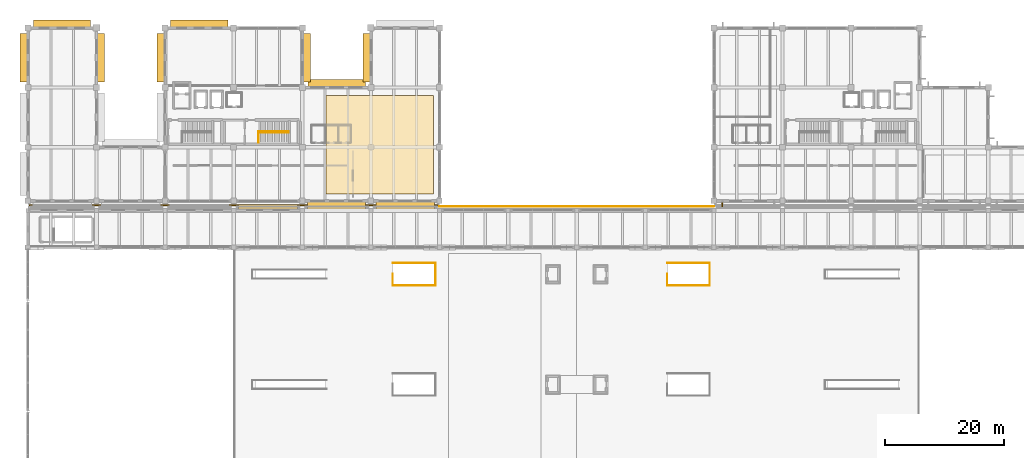
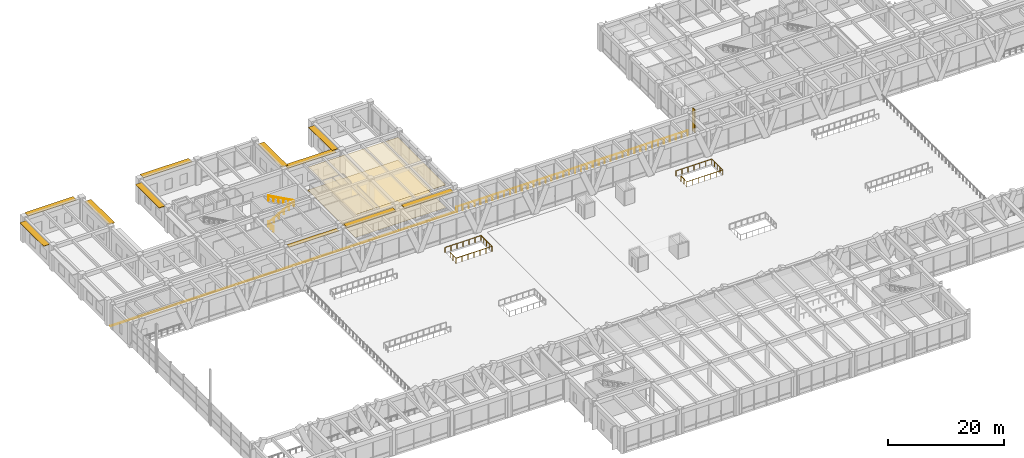
# One storey, part 145 of 148: 12 shading devices, 7 railings, 3 coverings.
"""IFC4 building model written with IfcOpenShell, lengths in metres."""

from ifc_helpers import new_model, si_unit, direction, frame, origin, origin_2d, place, context, subcontext, project, spatial, polyline, rectangle, circle, outline, extrude, material, layer, layer_set, type_object, element, save


model = new_model("IFC4")

# Units and contexts
model_context = context("Model", 3, precision=1e-05, world=origin(), true_north=direction((0.0, 1.0)))
body_context = subcontext(model_context, "Body", "Model", "MODEL_VIEW")
ifc_project = project(units=[si_unit("LENGTHUNIT", "METRE"), si_unit("AREAUNIT", "SQUARE_METRE"), si_unit("VOLUMEUNIT", "CUBIC_METRE"), si_unit("PLANEANGLEUNIT", "RADIAN"), si_unit("MASSUNIT", "GRAM", prefix="KILO")], contexts=[model_context])

# Site, building, storey
site_placement = place(None, origin())
site = spatial("IfcSite", under=ifc_project, at=site_placement, CompositionType="ELEMENT")
building_placement = place(site_placement, origin())
building = spatial("IfcBuilding", under=site, at=building_placement, Name="Ologun Quay Terminus", CompositionType="ELEMENT")
storey_placement = place(building_placement, frame((0.0, 0.0, 8.39990234375)))
storey = spatial("IfcBuildingStorey", under=building, at=storey_placement, Name="L02", CompositionType="ELEMENT", Elevation=8.39990234375)

# Shading devices
ifc_material_1 = material(Name="Aluminium 6063-T6", Category="aluminium")
ifc_layer_1 = layer(ifc_material_1, 0.10009765625)
ifc_layer_set_1 = layer_set([ifc_layer_1], Name="Aluminium 6063-T6")
shading_device_type_1 = type_object("IfcShadingDeviceType", Name="Deep Waterfront Brise-Soleil Blade 1200", PredefinedType="JALOUSIE", material=ifc_layer_set_1)
for number, where, z_axis, x_axis, name in (
    (1, (51.75, 85.070068359375, 4.72998046875), (0.0, 0.0, 1.0), (1.0, 0.0, 0.0), "SD-02 Sun-Hood WEW-WW-O-L02-5"),
    (2, (63.25, 85.070068359375, 4.72998046875), (0.0, 0.0, 1.0), (1.0, 0.0, 0.0), "SD-02 Sun-Hood WEW-WW-O-L02-6"),
):
    element("IfcShadingDevice", number, at=place(storey_placement, frame(where, z_axis=z_axis, x_axis=x_axis)), inside=storey, type_object=shading_device_type_1, Name=name, PredefinedType="JALOUSIE", context=body_context, shape_type="SweptSolid", body=[
        extrude(rectangle(XDim=9.760009765625, YDim=1.199951171875, at=origin_2d()), origin(), (0.0, 0.0, 1.0), 0.10009765625),
    ])
shading_device_1_placement = place(storey_placement, frame((56.77001953125, 109.77490234375, 4.72998046875), z_axis=(0.0, 0.0, 1.0), x_axis=(1.0, 0.0, 0.0)))
element("IfcShadingDevice", 3, at=shading_device_1_placement, inside=storey, type_object=shading_device_type_1, Name="SD-02 Sun-Hood WEW-WW-O-L02-11", PredefinedType="JALOUSIE", context=body_context, shape_type="SweptSolid", body=[
    extrude(rectangle(XDim=1.199951171875, YDim=8.110107421875, at=origin_2d()), origin(), (0.0, 0.0, 1.0), 0.10009765625),
])
shading_device_2_placement = place(storey_placement, frame((51.75, 105.530029296875, 4.72998046875), z_axis=(0.0, 0.0, 1.0), x_axis=(1.0, 0.0, 0.0)))
element("IfcShadingDevice", 4, at=shading_device_2_placement, inside=storey, type_object=shading_device_type_1, Name="SD-02 Sun-Hood WEW-WW-O-L02-12", PredefinedType="JALOUSIE", context=body_context, shape_type="SweptSolid", body=[
    extrude(rectangle(XDim=9.659912109375, YDim=1.199951171875, at=origin_2d()), origin(), (0.0, 0.0, 1.0), 0.10009765625),
])
shading_device_3_placement = place(storey_placement, frame((46.72998046875, 109.800048828125, 4.72998046875), z_axis=(0.0, 0.0, 1.0), x_axis=(1.0, 0.0, 0.0)))
element("IfcShadingDevice", 5, at=shading_device_3_placement, inside=storey, type_object=shading_device_type_1, Name="SD-02 Sun-Hood WEW-WW-O-L02-13", PredefinedType="JALOUSIE", context=body_context, shape_type="SweptSolid", body=[
    extrude(rectangle(XDim=1.199951171875, YDim=8.159912109375, at=origin_2d()), origin(), (0.0, 0.0, 1.0), 0.10009765625),
])
shading_device_4_placement = place(storey_placement, frame((28.75, 115.530029296875, 4.72998046875), z_axis=(0.0, 0.0, 1.0), x_axis=(1.0, 0.0, 0.0)))
element("IfcShadingDevice", 6, at=shading_device_4_placement, inside=storey, type_object=shading_device_type_1, Name="SD-02 Sun-Hood WEW-WW-N-L02-14", PredefinedType="JALOUSIE", context=body_context, shape_type="SweptSolid", body=[
    extrude(rectangle(XDim=9.659912109375, YDim=1.199951171875, at=origin_2d()), origin(), (0.0, 0.0, 1.0), 0.10009765625),
])
shading_device_5_placement = place(storey_placement, frame((22.27001953125, 109.800048828125, 4.72998046875), z_axis=(0.0, 0.0, 1.0), x_axis=(1.0, 0.0, 0.0)))
element("IfcShadingDevice", 7, at=shading_device_5_placement, inside=storey, type_object=shading_device_type_1, Name="SD-02 Sun-Hood WEW-WW-O-L02-17", PredefinedType="JALOUSIE", context=body_context, shape_type="SweptSolid", body=[
    extrude(rectangle(XDim=1.199951171875, YDim=8.159912109375, at=origin_2d()), origin(), (0.0, 0.0, 1.0), 0.10009765625),
])
shading_device_6_placement = place(storey_placement, frame((12.22998046875, 109.77490234375, 4.72998046875), z_axis=(0.0, 0.0, 1.0), x_axis=(1.0, 0.0, 0.0)))
element("IfcShadingDevice", 8, at=shading_device_6_placement, inside=storey, type_object=shading_device_type_1, Name="SD-02 Sun-Hood WEW-WW-O-L02-20", PredefinedType="JALOUSIE", context=body_context, shape_type="SweptSolid", body=[
    extrude(rectangle(XDim=1.199951171875, YDim=8.110107421875, at=origin_2d()), origin(), (0.0, 0.0, 1.0), 0.10009765625),
])
shading_device_7_placement = place(storey_placement, frame((5.72509765625, 115.530029296875, 4.72998046875), z_axis=(0.0, 0.0, 1.0), x_axis=(1.0, 0.0, 0.0)))
element("IfcShadingDevice", 9, at=shading_device_7_placement, inside=storey, type_object=shading_device_type_1, Name="SD-02 Sun-Hood WEW-WW-N-L02-21", PredefinedType="JALOUSIE", context=body_context, shape_type="SweptSolid", body=[
    extrude(rectangle(XDim=9.610107421875, YDim=1.199951171875, at=origin_2d()), origin(), (0.0, 0.0, 1.0), 0.10009765625),
])
shading_device_8_placement = place(storey_placement, frame((-0.72998046875, 109.800048828125, 4.72998046875), z_axis=(0.0, 0.0, 1.0), x_axis=(1.0, 0.0, 0.0)))
element("IfcShadingDevice", 10, at=shading_device_8_placement, inside=storey, type_object=shading_device_type_1, Name="SD-02 Sun-Hood WEW-WW-O-L02-24", PredefinedType="JALOUSIE", context=body_context, shape_type="SweptSolid", body=[
    extrude(rectangle(XDim=1.199951171875, YDim=8.159912109375, at=origin_2d()), origin(), (0.0, 0.0, 1.0), 0.10009765625),
])
ifc_material_2 = material(Name="Aluminium 6063-T6", Category="aluminium")
ifc_layer_2 = layer(ifc_material_2, 0.080078125)
ifc_layer_set_2 = layer_set([ifc_layer_2], Name="Aluminium 6063-T6")
shading_device_type_2 = type_object("IfcShadingDeviceType", Name="Horizontal Extruded Aluminium Sun Louvre 900", PredefinedType="JALOUSIE", material=ifc_layer_set_2)
shading_device_9_placement = place(storey_placement, frame((40.25, 84.780029296875, 4.66015625), z_axis=(0.0, 0.0, 1.0), x_axis=(1.0, 0.0, 0.0)))
element("IfcShadingDevice", 11, at=shading_device_9_placement, inside=storey, type_object=shading_device_type_2, Name="SD-01 Sun-Hood WEW-NGW-L02-04", PredefinedType="JALOUSIE", context=body_context, shape_type="SweptSolid", body=[
    extrude(rectangle(XDim=9.9599609375, YDim=0.89990234375, at=origin_2d()), origin(), (0.0, 0.0, 1.0), 0.080078125),
])
ifc_material_3 = material(Name="Concrete C40/50", Category="concrete")
ifc_layer_3 = layer(ifc_material_3, 0.159912109375)
ifc_layer_set_3 = layer_set([ifc_layer_3], Name="Concrete C40/50")
shading_device_type_3 = type_object("IfcShadingDeviceType", Name="Operations Angled Precast Solar Fin 850x160", PredefinedType="USERDEFINED", material=ifc_layer_set_3)
shading_device_10_placement = place(storey_placement, frame((116.419921875, 85.2451171875, 0.150146484375), z_axis=(0.0, 0.0, 1.0), x_axis=(1.0, 0.0, 0.0)))
element("IfcShadingDevice", 12, at=shading_device_10_placement, inside=storey, type_object=shading_device_type_3, Name="SD-05 Vertical Solar Fin WEW-EW-L02-1-1", ObjectType="SOLAR FIN", PredefinedType="USERDEFINED", context=body_context, shape_type="SweptSolid", body=[
    extrude(rectangle(XDim=0.159912109375, YDim=0.85009765625, at=origin_2d()), origin(), (0.0, 0.0, 1.0), 4.830078125),
])

# Coverings
ifc_material_4 = material(Name="Aluminium 6063-T6", Category="aluminium")
ifc_layer_4 = layer(ifc_material_4, 0.034912109375)
ifc_layer_set_4 = layer_set([ifc_layer_4], Name="Aluminium 6063-T6")
covering_type_1 = type_object("IfcCoveringType", Name="Perforated Aluminium Acoustic Baffle Ceiling 35", PredefinedType="CEILING", material=ifc_layer_set_4)
covering_1_placement = place(storey_placement, frame((0.0, 0.0, 4.800048828125)))
element("IfcCovering", 13, at=covering_1_placement, inside=storey, type_object=covering_type_1, Name="CV-CL1 Acoustic Ceiling 5", PredefinedType="CEILING", context=body_context, shape_type="SweptSolid", body=[
    extrude(outline(polyline([(50.0, 87.0), (68.0, 87.0), (68.0, 103.5), (50.0, 103.5), (50.0, 87.0)])), origin(), (0.0, 0.0, 1.0), 0.03515625),
])
ifc_material_5 = material(Name="Porcelain Tile")
ifc_layer_5 = layer(ifc_material_5, 0.02197265625)
ifc_layer_set_5 = layer_set([ifc_layer_5], Name="Porcelain Tile")
covering_type_2 = type_object("IfcCoveringType", Name="Porcelain Tile Pavilion & Sanitary Flooring 22", PredefinedType="FLOORING", material=ifc_layer_set_5)
covering_2_placement = place(storey_placement, origin())
element("IfcCovering", 14, at=covering_2_placement, inside=storey, type_object=covering_type_2, Name="CV-FL2 Interior Flooring 9", PredefinedType="FLOORING", context=body_context, shape_type="SweptSolid", body=[
    extrude(outline(polyline([(50.0, 87.0), (68.0, 87.0), (68.0, 103.5), (50.0, 103.5), (50.0, 87.0)])), origin(), (0.0, 0.0, 1.0), 0.022216796875),
])
ifc_material_6 = material(Name="Steel S355", Category="steel")
ifc_layer_6 = layer(ifc_material_6, 0.034912109375)
ifc_layer_set_6 = layer_set([ifc_layer_6], Name="Steel S355")
covering_type_3 = type_object("IfcCoveringType", Name="Stainless Steel Seismic Joint Cover Plate 35", PredefinedType="FLOORING", material=ifc_layer_set_6)
covering_3_placement = place(storey_placement, origin())
element("IfcCovering", 15, at=covering_3_placement, inside=storey, type_object=covering_type_3, Name="CV-MJC Seismic Joint Cover Plate L02-W", PredefinedType="FLOORING", context=body_context, shape_type="SweptSolid", body=[
    extrude(outline(polyline([(0.199951171875, 84.9560546875), (68.800048828125, 84.9560546875), (68.800048828125, 85.156005859375), (0.199951171875, 85.156005859375), (0.199951171875, 84.9560546875)])), origin(), (0.0, 0.0, 1.0), 0.03515625),
])

# Railings
ifc_material_7 = material(Name="Steel S355", Category="steel")
railing_type_1 = type_object("IfcRailingType", Name="Stair & Landing Steel Guardrail 1100", PredefinedType="GUARDRAIL", material=ifc_material_7)
railing_1_placement = place(storey_placement, frame((38.659912109375, 97.43994140625, 0.0)))
element("IfcRailing", 16, at=railing_1_placement, inside=storey, type_object=railing_type_1, Name="GR-ST Stair Floor Edge Guard ST-W2 L02", PredefinedType="GUARDRAIL", context=body_context, shape_type="SweptSolid", body=[
    extrude(circle(Radius=0.02392578125, at=origin_2d()), frame((0.0, 0.0, 1.076171875), z_axis=(0.0, -1.0, 0.0), x_axis=(1.0, 0.0, 0.0)), (0.0, 0.0, 1.0), 1.829833984375),
    extrude(circle(Radius=0.02099609375, at=origin_2d()), origin(), (0.0, 0.0, 1.0), 1.052001953125),
    extrude(circle(Radius=0.02099609375, at=origin_2d()), frame((0.0, -0.9150390625, 0.0)), (0.0, 0.0, 1.0), 1.052001953125),
    extrude(circle(Radius=0.02099609375, at=origin_2d()), frame((0.0, -1.829833984375, 0.0)), (0.0, 0.0, 1.0), 1.052001953125),
])
railing_2_placement = place(storey_placement, frame((38.699951171875, 97.25, 0.0)))
element("IfcRailing", 17, at=railing_2_placement, inside=storey, type_object=railing_type_1, Name="GR-ST Stair Inner Well Guard ST-W2 L02", PredefinedType="GUARDRAIL", context=body_context, shape_type="SweptSolid", body=[
    extrude(circle(Radius=0.02392578125, at=origin_2d()), frame((0.0, 0.0, 1.076171875), z_axis=(0.87828518882, 0.0, 0.478137142565), x_axis=(0.0, 1.0, 0.0)), (0.0, 0.0, 1.0), 5.647216796875),
    extrude(circle(Radius=0.02392578125, at=origin_2d()), frame((4.9599609375, 0.0, 3.7763671875), z_axis=(0.0, 1.0, 0.0), x_axis=(-1.0, 0.0, 0.0)), (0.0, 0.0, 1.0), 0.199951171875),
    extrude(circle(Radius=0.02392578125, at=origin_2d()), frame((4.9599609375, 0.199951171875, 3.7763671875), z_axis=(-0.878303343108, 0.0, 0.478103793632), x_axis=(0.0, -1.0, 0.0)), (0.0, 0.0, 1.0), 5.647216796875),
    extrude(circle(Radius=0.02099609375, at=origin_2d()), origin(), (0.0, 0.0, 1.0), 1.052001953125),
    extrude(circle(Radius=0.02099609375, at=origin_2d()), frame((0.991943359375, 0.0, 0.5400390625)), (0.0, 0.0, 1.0), 1.052001953125),
    extrude(circle(Radius=0.02099609375, at=origin_2d()), frame((1.98388671875, 0.0, 1.080078125)), (0.0, 0.0, 1.0), 1.052001953125),
    extrude(circle(Radius=0.02099609375, at=origin_2d()), frame((2.97607421875, 0.0, 1.6201171875)), (0.0, 0.0, 1.0), 1.052001953125),
    extrude(circle(Radius=0.02099609375, at=origin_2d()), frame((3.968017578125, 0.0, 2.16015625)), (0.0, 0.0, 1.0), 1.052001953125),
    extrude(circle(Radius=0.02099609375, at=origin_2d()), frame((4.9599609375, 0.0, 2.7001953125)), (0.0, 0.0, 1.0), 1.052001953125),
    extrude(circle(Radius=0.02099609375, at=origin_2d()), frame((4.9599609375, 0.199951171875, 2.7001953125)), (0.0, 0.0, 1.0), 1.052001953125),
    extrude(circle(Radius=0.02099609375, at=origin_2d()), frame((3.968017578125, 0.199951171875, 3.240234375)), (0.0, 0.0, 1.0), 1.052001953125),
    extrude(circle(Radius=0.02099609375, at=origin_2d()), frame((2.97607421875, 0.199951171875, 3.7802734375)), (0.0, 0.0, 1.0), 1.052001953125),
    extrude(circle(Radius=0.02099609375, at=origin_2d()), frame((1.98388671875, 0.199951171875, 4.320068359375)), (0.0, 0.0, 1.0), 1.052001953125),
    extrude(circle(Radius=0.02099609375, at=origin_2d()), frame((0.991943359375, 0.199951171875, 4.860107421875)), (0.0, 0.0, 1.0), 1.052001953125),
    extrude(circle(Radius=0.02099609375, at=origin_2d()), frame((0.0, 0.199951171875, 5.400146484375)), (0.0, 0.0, 1.0), 1.052001953125),
])
railing_3_placement = place(storey_placement, frame((61.159912109375, 73.60009765625, 0.0)))
element("IfcRailing", 18, at=railing_3_placement, inside=storey, type_object=railing_type_1, Name="GR-ST Platform Stair Well Guard ST-P3 L02", PredefinedType="GUARDRAIL", context=body_context, shape_type="SweptSolid", body=[
    extrude(circle(Radius=0.02392578125, at=origin_2d()), frame((0.0, 0.0, 1.076171875), z_axis=(0.0, -1.0, 0.0), x_axis=(1.0, 0.0, 0.0)), (0.0, 0.0, 1.0), 1.97998046875),
    extrude(circle(Radius=0.02392578125, at=origin_2d()), frame((0.0, -1.97998046875, 1.076171875), z_axis=(1.0, 0.0, 0.0), x_axis=(0.0, 1.0, 0.0)), (0.0, 0.0, 1.0), 7.16015625),
    extrude(circle(Radius=0.02392578125, at=origin_2d()), frame((7.16015625, -1.97998046875, 1.076171875), z_axis=(0.0, 1.0, 0.0), x_axis=(-1.0, 0.0, 0.0)), (0.0, 0.0, 1.0), 3.759765625),
    extrude(circle(Radius=0.02392578125, at=origin_2d()), frame((7.16015625, 1.77978515625, 1.076171875), z_axis=(-1.0, 0.0, 0.0), x_axis=(0.0, -1.0, 0.0)), (0.0, 0.0, 1.0), 7.16015625),
    extrude(circle(Radius=0.02099609375, at=origin_2d()), origin(), (0.0, 0.0, 1.0), 1.052001953125),
    extrude(circle(Radius=0.02099609375, at=origin_2d()), frame((0.0, -0.989990234375, 0.0)), (0.0, 0.0, 1.0), 1.052001953125),
    extrude(circle(Radius=0.02099609375, at=origin_2d()), frame((0.0, -1.97998046875, 0.0)), (0.0, 0.0, 1.0), 1.052001953125),
    extrude(circle(Radius=0.02099609375, at=origin_2d()), frame((1.193359375, -1.97998046875, 0.0)), (0.0, 0.0, 1.0), 1.052001953125),
    extrude(circle(Radius=0.02099609375, at=origin_2d()), frame((2.38671875, -1.97998046875, 0.0)), (0.0, 0.0, 1.0), 1.052001953125),
    extrude(circle(Radius=0.02099609375, at=origin_2d()), frame((3.580078125, -1.97998046875, 0.0)), (0.0, 0.0, 1.0), 1.052001953125),
    extrude(circle(Radius=0.02099609375, at=origin_2d()), frame((4.7734375, -1.97998046875, 0.0)), (0.0, 0.0, 1.0), 1.052001953125),
    extrude(circle(Radius=0.02099609375, at=origin_2d()), frame((5.966796875, -1.97998046875, 0.0)), (0.0, 0.0, 1.0), 1.052001953125),
    extrude(circle(Radius=0.02099609375, at=origin_2d()), frame((7.16015625, -1.97998046875, 0.0)), (0.0, 0.0, 1.0), 1.052001953125),
    extrude(circle(Radius=0.02099609375, at=origin_2d()), frame((7.16015625, -1.0400390625, 0.0)), (0.0, 0.0, 1.0), 1.052001953125),
    extrude(circle(Radius=0.02099609375, at=origin_2d()), frame((7.16015625, -0.10009765625, 0.0)), (0.0, 0.0, 1.0), 1.052001953125),
    extrude(circle(Radius=0.02099609375, at=origin_2d()), frame((7.16015625, 0.83984375, 0.0)), (0.0, 0.0, 1.0), 1.052001953125),
    extrude(circle(Radius=0.02099609375, at=origin_2d()), frame((7.16015625, 1.77978515625, 0.0)), (0.0, 0.0, 1.0), 1.052001953125),
    extrude(circle(Radius=0.02099609375, at=origin_2d()), frame((5.966796875, 1.77978515625, 0.0)), (0.0, 0.0, 1.0), 1.052001953125),
    extrude(circle(Radius=0.02099609375, at=origin_2d()), frame((4.7734375, 1.77978515625, 0.0)), (0.0, 0.0, 1.0), 1.052001953125),
    extrude(circle(Radius=0.02099609375, at=origin_2d()), frame((3.580078125, 1.77978515625, 0.0)), (0.0, 0.0, 1.0), 1.052001953125),
    extrude(circle(Radius=0.02099609375, at=origin_2d()), frame((2.38671875, 1.77978515625, 0.0)), (0.0, 0.0, 1.0), 1.052001953125),
    extrude(circle(Radius=0.02099609375, at=origin_2d()), frame((1.193359375, 1.77978515625, 0.0)), (0.0, 0.0, 1.0), 1.052001953125),
    extrude(circle(Radius=0.02099609375, at=origin_2d()), frame((0.0, 1.77978515625, 0.0)), (0.0, 0.0, 1.0), 1.052001953125),
])
railing_4_placement = place(storey_placement, frame((107.159912109375, 73.60009765625, 0.0)))
element("IfcRailing", 19, at=railing_4_placement, inside=storey, type_object=railing_type_1, Name="GR-ST Platform Stair Well Guard ST-P4 L02", PredefinedType="GUARDRAIL", context=body_context, shape_type="SweptSolid", body=[
    extrude(circle(Radius=0.02392578125, at=origin_2d()), frame((0.0, 0.0, 1.076171875), z_axis=(0.0, -1.0, 0.0), x_axis=(1.0, 0.0, 0.0)), (0.0, 0.0, 1.0), 1.97998046875),
    extrude(circle(Radius=0.02392578125, at=origin_2d()), frame((0.0, -1.97998046875, 1.076171875), z_axis=(1.0, 0.0, 0.0), x_axis=(0.0, 1.0, 0.0)), (0.0, 0.0, 1.0), 7.16015625),
    extrude(circle(Radius=0.02392578125, at=origin_2d()), frame((7.16015625, -1.97998046875, 1.076171875), z_axis=(0.0, 1.0, 0.0), x_axis=(-1.0, 0.0, 0.0)), (0.0, 0.0, 1.0), 3.759765625),
    extrude(circle(Radius=0.02392578125, at=origin_2d()), frame((7.16015625, 1.77978515625, 1.076171875), z_axis=(-1.0, 0.0, 0.0), x_axis=(0.0, -1.0, 0.0)), (0.0, 0.0, 1.0), 7.16015625),
    extrude(circle(Radius=0.02099609375, at=origin_2d()), origin(), (0.0, 0.0, 1.0), 1.052001953125),
    extrude(circle(Radius=0.02099609375, at=origin_2d()), frame((0.0, -0.989990234375, 0.0)), (0.0, 0.0, 1.0), 1.052001953125),
    extrude(circle(Radius=0.02099609375, at=origin_2d()), frame((0.0, -1.97998046875, 0.0)), (0.0, 0.0, 1.0), 1.052001953125),
    extrude(circle(Radius=0.02099609375, at=origin_2d()), frame((1.193359375, -1.97998046875, 0.0)), (0.0, 0.0, 1.0), 1.052001953125),
    extrude(circle(Radius=0.02099609375, at=origin_2d()), frame((2.38671875, -1.97998046875, 0.0)), (0.0, 0.0, 1.0), 1.052001953125),
    extrude(circle(Radius=0.02099609375, at=origin_2d()), frame((3.580078125, -1.97998046875, 0.0)), (0.0, 0.0, 1.0), 1.052001953125),
    extrude(circle(Radius=0.02099609375, at=origin_2d()), frame((4.7734375, -1.97998046875, 0.0)), (0.0, 0.0, 1.0), 1.052001953125),
    extrude(circle(Radius=0.02099609375, at=origin_2d()), frame((5.966796875, -1.97998046875, 0.0)), (0.0, 0.0, 1.0), 1.052001953125),
    extrude(circle(Radius=0.02099609375, at=origin_2d()), frame((7.16015625, -1.97998046875, 0.0)), (0.0, 0.0, 1.0), 1.052001953125),
    extrude(circle(Radius=0.02099609375, at=origin_2d()), frame((7.16015625, -1.0400390625, 0.0)), (0.0, 0.0, 1.0), 1.052001953125),
    extrude(circle(Radius=0.02099609375, at=origin_2d()), frame((7.16015625, -0.10009765625, 0.0)), (0.0, 0.0, 1.0), 1.052001953125),
    extrude(circle(Radius=0.02099609375, at=origin_2d()), frame((7.16015625, 0.83984375, 0.0)), (0.0, 0.0, 1.0), 1.052001953125),
    extrude(circle(Radius=0.02099609375, at=origin_2d()), frame((7.16015625, 1.77978515625, 0.0)), (0.0, 0.0, 1.0), 1.052001953125),
    extrude(circle(Radius=0.02099609375, at=origin_2d()), frame((5.966796875, 1.77978515625, 0.0)), (0.0, 0.0, 1.0), 1.052001953125),
    extrude(circle(Radius=0.02099609375, at=origin_2d()), frame((4.7734375, 1.77978515625, 0.0)), (0.0, 0.0, 1.0), 1.052001953125),
    extrude(circle(Radius=0.02099609375, at=origin_2d()), frame((3.580078125, 1.77978515625, 0.0)), (0.0, 0.0, 1.0), 1.052001953125),
    extrude(circle(Radius=0.02099609375, at=origin_2d()), frame((2.38671875, 1.77978515625, 0.0)), (0.0, 0.0, 1.0), 1.052001953125),
    extrude(circle(Radius=0.02099609375, at=origin_2d()), frame((1.193359375, 1.77978515625, 0.0)), (0.0, 0.0, 1.0), 1.052001953125),
    extrude(circle(Radius=0.02099609375, at=origin_2d()), frame((0.0, 1.77978515625, 0.0)), (0.0, 0.0, 1.0), 1.052001953125),
])
ifc_material_8 = material(Name="Steel S355", Category="steel")
railing_type_2 = type_object("IfcRailingType", Name="Stair Stainless Tubular Handrail 920", PredefinedType="HANDRAIL", material=ifc_material_8)
railing_5_placement = place(storey_placement, frame((38.699951171875, 97.239990234375, 0.150146484375)))
element("IfcRailing", 20, at=railing_5_placement, inside=storey, type_object=railing_type_2, Name="HR-ST Handrail ST-W2-F1 L02", PredefinedType="HANDRAIL", context=body_context, shape_type="SweptSolid", body=[
    extrude(circle(Radius=0.02392578125, at=origin_2d()), frame((0.0, 0.0, 0.89599609375), z_axis=(0.888211453661, 0.0, 0.459434885034), x_axis=(0.0, 1.0, 0.0)), (0.0, 0.0, 1.0), 5.55029296875),
    extrude(circle(Radius=0.02099609375, at=origin_2d()), origin(), (0.0, 0.0, 1.0), 0.871826171875),
    extrude(circle(Radius=0.02099609375, at=origin_2d()), frame((0.986083984375, 0.0, 0.510009765625)), (0.0, 0.0, 1.0), 0.871826171875),
    extrude(circle(Radius=0.02099609375, at=origin_2d()), frame((1.971923828125, 0.0, 1.02001953125)), (0.0, 0.0, 1.0), 0.871826171875),
    extrude(circle(Radius=0.02099609375, at=origin_2d()), frame((2.9580078125, 0.0, 1.530029296875)), (0.0, 0.0, 1.0), 0.871826171875),
    extrude(circle(Radius=0.02099609375, at=origin_2d()), frame((3.94384765625, 0.0, 2.0400390625)), (0.0, 0.0, 1.0), 0.871826171875),
    extrude(circle(Radius=0.02099609375, at=origin_2d()), frame((4.929931640625, 0.0, 2.550048828125)), (0.0, 0.0, 1.0), 0.871826171875),
])
railing_6_placement = place(storey_placement, frame((43.6298828125, 97.4599609375, 2.85009765625)))
element("IfcRailing", 21, at=railing_6_placement, inside=storey, type_object=railing_type_2, Name="HR-ST Handrail ST-W2-F2 L02", PredefinedType="HANDRAIL", context=body_context, shape_type="SweptSolid", body=[
    extrude(circle(Radius=0.02392578125, at=origin_2d()), frame((0.0, 0.0, 0.89599609375), z_axis=(-0.888211453661, 0.0, 0.459434885034), x_axis=(0.0, -1.0, 0.0)), (0.0, 0.0, 1.0), 5.55029296875),
    extrude(circle(Radius=0.02099609375, at=origin_2d()), origin(), (0.0, 0.0, 1.0), 0.871826171875),
    extrude(circle(Radius=0.02099609375, at=origin_2d()), frame((-0.986083984375, 0.0, 0.510009765625)), (0.0, 0.0, 1.0), 0.871826171875),
    extrude(circle(Radius=0.02099609375, at=origin_2d()), frame((-1.971923828125, 0.0, 1.02001953125)), (0.0, 0.0, 1.0), 0.871826171875),
    extrude(circle(Radius=0.02099609375, at=origin_2d()), frame((-2.9580078125, 0.0, 1.530029296875)), (0.0, 0.0, 1.0), 0.871826171875),
    extrude(circle(Radius=0.02099609375, at=origin_2d()), frame((-3.94384765625, 0.0, 2.0400390625)), (0.0, 0.0, 1.0), 0.871826171875),
    extrude(circle(Radius=0.02099609375, at=origin_2d()), frame((-4.929931640625, 0.0, 2.550048828125)), (0.0, 0.0, 1.0), 0.871826171875),
])
ifc_material_9 = material(Name="Steel S355", Category="steel")
railing_type_3 = type_object("IfcRailingType", Name="Terrace & Quay Perimeter Guardrail 1150", PredefinedType="GUARDRAIL", material=ifc_material_9)
railing_7_placement = place(storey_placement, frame((69.0, 84.8798828125, 0.0)))
element("IfcRailing", 22, at=railing_7_placement, inside=storey, type_object=railing_type_3, Name="GR-TR Rain-Garden Courtyard Overlook Guardrail L02", PredefinedType="GUARDRAIL", context=body_context, shape_type="SweptSolid", body=[
    extrude(circle(Radius=0.02392578125, at=origin_2d()), frame((0.0, 0.0, 1.1259765625), z_axis=(1.0, 0.0, 0.0), x_axis=(0.0, 1.0, 0.0)), (0.0, 0.0, 1.0), 46.0),
    extrude(circle(Radius=0.02099609375, at=origin_2d()), origin(), (0.0, 0.0, 1.0), 1.101806640625),
    extrude(circle(Radius=0.02099609375, at=origin_2d()), frame((1.179443359375, 0.0, 0.0)), (0.0, 0.0, 1.0), 1.101806640625),
    extrude(circle(Radius=0.02099609375, at=origin_2d()), frame((2.35888671875, 0.0, 0.0)), (0.0, 0.0, 1.0), 1.101806640625),
    extrude(circle(Radius=0.02099609375, at=origin_2d()), frame((3.53857421875, 0.0, 0.0)), (0.0, 0.0, 1.0), 1.101806640625),
    extrude(circle(Radius=0.02099609375, at=origin_2d()), frame((4.718017578125, 0.0, 0.0)), (0.0, 0.0, 1.0), 1.101806640625),
    extrude(circle(Radius=0.02099609375, at=origin_2d()), frame((5.8974609375, 0.0, 0.0)), (0.0, 0.0, 1.0), 1.101806640625),
    extrude(circle(Radius=0.02099609375, at=origin_2d()), frame((7.076904296875, 0.0, 0.0)), (0.0, 0.0, 1.0), 1.101806640625),
    extrude(circle(Radius=0.02099609375, at=origin_2d()), frame((8.25634765625, 0.0, 0.0)), (0.0, 0.0, 1.0), 1.101806640625),
    extrude(circle(Radius=0.02099609375, at=origin_2d()), frame((9.435791015625, 0.0, 0.0)), (0.0, 0.0, 1.0), 1.101806640625),
    extrude(circle(Radius=0.02099609375, at=origin_2d()), frame((10.615478515625, 0.0, 0.0)), (0.0, 0.0, 1.0), 1.101806640625),
    extrude(circle(Radius=0.02099609375, at=origin_2d()), frame((11.794921875, 0.0, 0.0)), (0.0, 0.0, 1.0), 1.101806640625),
    extrude(circle(Radius=0.02099609375, at=origin_2d()), frame((12.974365234375, 0.0, 0.0)), (0.0, 0.0, 1.0), 1.101806640625),
    extrude(circle(Radius=0.02099609375, at=origin_2d()), frame((14.15380859375, 0.0, 0.0)), (0.0, 0.0, 1.0), 1.101806640625),
    extrude(circle(Radius=0.02099609375, at=origin_2d()), frame((15.333251953125, 0.0, 0.0)), (0.0, 0.0, 1.0), 1.101806640625),
    extrude(circle(Radius=0.02099609375, at=origin_2d()), frame((16.512939453125, 0.0, 0.0)), (0.0, 0.0, 1.0), 1.101806640625),
    extrude(circle(Radius=0.02099609375, at=origin_2d()), frame((17.6923828125, 0.0, 0.0)), (0.0, 0.0, 1.0), 1.101806640625),
    extrude(circle(Radius=0.02099609375, at=origin_2d()), frame((18.871826171875, 0.0, 0.0)), (0.0, 0.0, 1.0), 1.101806640625),
    extrude(circle(Radius=0.02099609375, at=origin_2d()), frame((20.05126953125, 0.0, 0.0)), (0.0, 0.0, 1.0), 1.101806640625),
    extrude(circle(Radius=0.02099609375, at=origin_2d()), frame((21.230712890625, 0.0, 0.0)), (0.0, 0.0, 1.0), 1.101806640625),
    extrude(circle(Radius=0.02099609375, at=origin_2d()), frame((22.41015625, 0.0, 0.0)), (0.0, 0.0, 1.0), 1.101806640625),
    extrude(circle(Radius=0.02099609375, at=origin_2d()), frame((23.58984375, 0.0, 0.0)), (0.0, 0.0, 1.0), 1.101806640625),
    extrude(circle(Radius=0.02099609375, at=origin_2d()), frame((24.769287109375, 0.0, 0.0)), (0.0, 0.0, 1.0), 1.101806640625),
    extrude(circle(Radius=0.02099609375, at=origin_2d()), frame((25.94873046875, 0.0, 0.0)), (0.0, 0.0, 1.0), 1.101806640625),
    extrude(circle(Radius=0.02099609375, at=origin_2d()), frame((27.128173828125, 0.0, 0.0)), (0.0, 0.0, 1.0), 1.101806640625),
    extrude(circle(Radius=0.02099609375, at=origin_2d()), frame((28.3076171875, 0.0, 0.0)), (0.0, 0.0, 1.0), 1.101806640625),
    extrude(circle(Radius=0.02099609375, at=origin_2d()), frame((29.487060546875, 0.0, 0.0)), (0.0, 0.0, 1.0), 1.101806640625),
    extrude(circle(Radius=0.02099609375, at=origin_2d()), frame((30.666748046875, 0.0, 0.0)), (0.0, 0.0, 1.0), 1.101806640625),
    extrude(circle(Radius=0.02099609375, at=origin_2d()), frame((31.84619140625, 0.0, 0.0)), (0.0, 0.0, 1.0), 1.101806640625),
    extrude(circle(Radius=0.02099609375, at=origin_2d()), frame((33.025634765625, 0.0, 0.0)), (0.0, 0.0, 1.0), 1.101806640625),
    extrude(circle(Radius=0.02099609375, at=origin_2d()), frame((34.205078125, 0.0, 0.0)), (0.0, 0.0, 1.0), 1.101806640625),
    extrude(circle(Radius=0.02099609375, at=origin_2d()), frame((35.384521484375, 0.0, 0.0)), (0.0, 0.0, 1.0), 1.101806640625),
    extrude(circle(Radius=0.02099609375, at=origin_2d()), frame((36.564208984375, 0.0, 0.0)), (0.0, 0.0, 1.0), 1.101806640625),
    extrude(circle(Radius=0.02099609375, at=origin_2d()), frame((37.74365234375, 0.0, 0.0)), (0.0, 0.0, 1.0), 1.101806640625),
    extrude(circle(Radius=0.02099609375, at=origin_2d()), frame((38.923095703125, 0.0, 0.0)), (0.0, 0.0, 1.0), 1.101806640625),
    extrude(circle(Radius=0.02099609375, at=origin_2d()), frame((40.1025390625, 0.0, 0.0)), (0.0, 0.0, 1.0), 1.101806640625),
    extrude(circle(Radius=0.02099609375, at=origin_2d()), frame((41.281982421875, 0.0, 0.0)), (0.0, 0.0, 1.0), 1.101806640625),
    extrude(circle(Radius=0.02099609375, at=origin_2d()), frame((42.46142578125, 0.0, 0.0)), (0.0, 0.0, 1.0), 1.101806640625),
    extrude(circle(Radius=0.02099609375, at=origin_2d()), frame((43.64111328125, 0.0, 0.0)), (0.0, 0.0, 1.0), 1.101806640625),
    extrude(circle(Radius=0.02099609375, at=origin_2d()), frame((44.820556640625, 0.0, 0.0)), (0.0, 0.0, 1.0), 1.101806640625),
    extrude(circle(Radius=0.02099609375, at=origin_2d()), frame((46.0, 0.0, 0.0)), (0.0, 0.0, 1.0), 1.101806640625),
])

save(model, "model.ifc")
